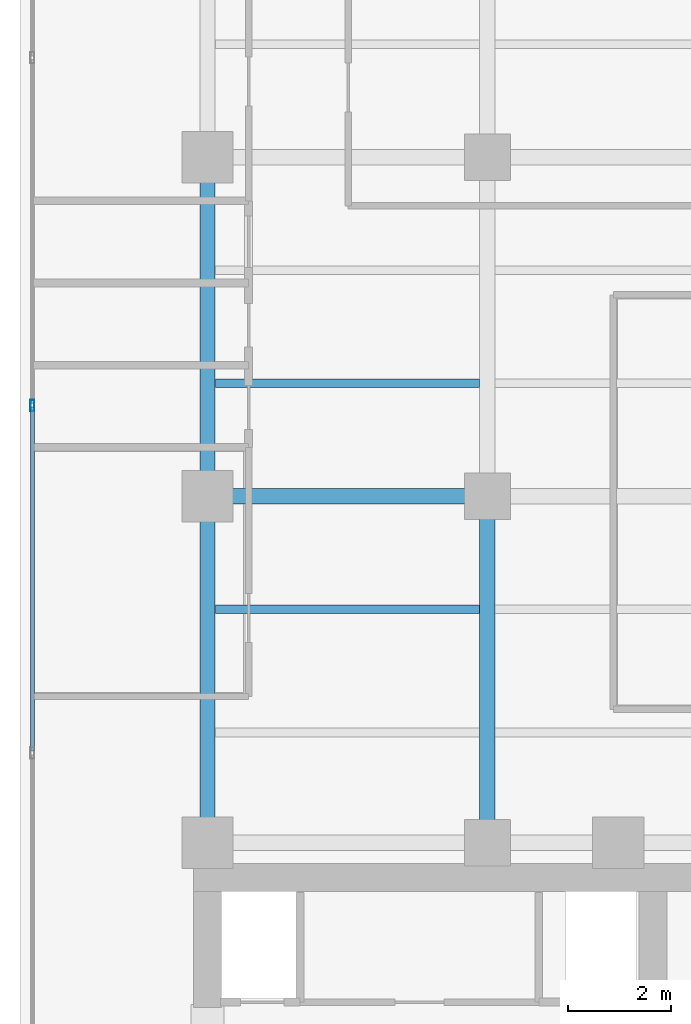
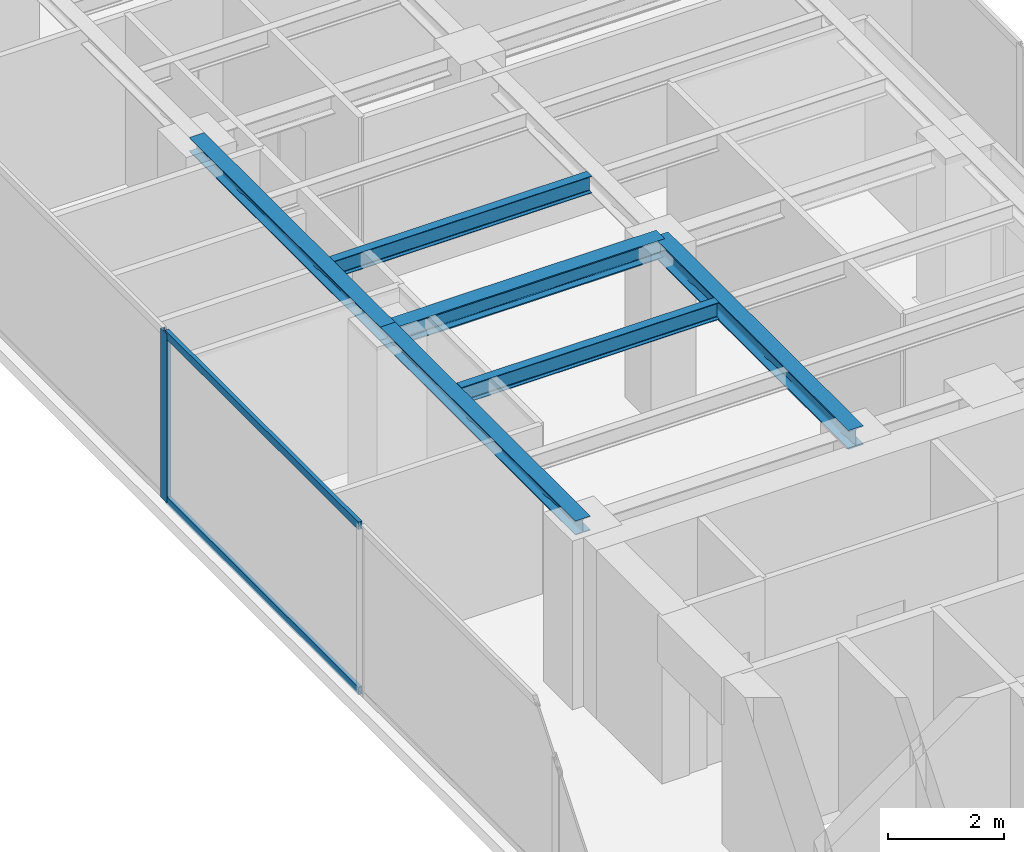
# One storey, part 8 of 23: 6 beams, 3 members, 1 element without a shape of its own.
"""IFC4 building model written with IfcOpenShell, lengths in metres."""

from ifc_helpers import new_model, si_unit, direction, frame, origin, origin_with_axes, origin_2d, place, context, subcontext, project, spatial, hollow_rectangle, i_section, extrude, source, transform, mapped, material, layer, layer_set, material_profile, profile_set, type_object, element, aggregate, save


model = new_model("IFC4")

# Units and contexts
model_context = context("Model", 3, precision=1e-05, world=origin(), true_north=direction((0.0, 1.0)))
body_context = subcontext(model_context, "Body", "Model", "MODEL_VIEW")
ifc_project = project(units=[si_unit("LENGTHUNIT", "METRE"), si_unit("AREAUNIT", "SQUARE_METRE"), si_unit("VOLUMEUNIT", "CUBIC_METRE"), si_unit("PLANEANGLEUNIT", "RADIAN"), si_unit("MASSUNIT", "GRAM", prefix="KILO")], contexts=[model_context])

# Site, building, storey
site_placement = place(None, origin())
site = spatial("IfcSite", under=ifc_project, at=site_placement, CompositionType="ELEMENT")
building_placement = place(site_placement, origin())
building = spatial("IfcBuilding", under=site, at=building_placement, Name="Kolvaren Waterfront Exchange", CompositionType="ELEMENT")
storey_placement = place(building_placement, frame((0.0, 0.0, 215.89990234375)))
storey = spatial("IfcBuildingStorey", under=building, at=storey_placement, Name="L55", CompositionType="ELEMENT", Elevation=215.89990234375)

# Beams
ifc_material_1 = material(Name="Steel S355", Category="steel")
ifc_material_profile_1 = material_profile(ifc_material_1, i_section(OverallWidth=0.300048828125, OverallDepth=0.300048828125, WebThickness=0.010986328125, FlangeThickness=0.01904296875, FilletRadius=0.027099609375, at=origin_2d()), Name="HEB300")
ifc_profile_set_1 = profile_set([ifc_material_profile_1], Name="Steel S355")
beam_type_1 = type_object("IfcBeamType", Name="STR-BM-HEB300", PredefinedType="SPANDREL", material=ifc_profile_set_1)
beam_1_placement = place(storey_placement, frame((7.449951171875, 24.449951171875, 3.41015625), z_axis=(0.0, 1.0, 0.0), x_axis=(-1.0, 0.0, 0.0)))
element("IfcBeam", 1, at=beam_1_placement, inside=storey, type_object=beam_type_1, Name="L55 north-arm edge beam 1", PredefinedType="SPANDREL", context=body_context, shape_type="SweptSolid", body=[
    extrude(i_section(OverallWidth=0.300048828125, OverallDepth=0.300048828125, WebThickness=0.010986328125, FlangeThickness=0.01904296875, FilletRadius=0.027099609375, at=origin_2d()), origin(), (0.0, 0.0, 1.0), 6.75),
])
beam_2_placement = place(storey_placement, frame((7.449951171875, 31.199951171875, 3.41015625), z_axis=(0.0, 1.0, 0.0), x_axis=(-1.0, 0.0, 0.0)))
element("IfcBeam", 2, at=beam_2_placement, inside=storey, type_object=beam_type_1, Name="L55 north-arm edge beam 2", PredefinedType="SPANDREL", context=body_context, shape_type="SweptSolid", body=[
    extrude(i_section(OverallWidth=0.300048828125, OverallDepth=0.300048828125, WebThickness=0.010986328125, FlangeThickness=0.01904296875, FilletRadius=0.027099609375, at=origin_2d()), origin(), (0.0, 0.0, 1.0), 6.60009765625),
])
ifc_material_profile_2 = material_profile(ifc_material_1, i_section(OverallWidth=0.300048828125, OverallDepth=0.39990234375, WebThickness=0.013427734375, FlangeThickness=0.02392578125, FilletRadius=0.027099609375, at=origin_2d()), Name="HEB400")
ifc_profile_set_2 = profile_set([ifc_material_profile_2], Name="Steel S355")
beam_type_2 = type_object("IfcBeamType", Name="STR-BM-HEB400", PredefinedType="BEAM", material=ifc_profile_set_2)
beam_3_placement = place(storey_placement, frame((7.449951171875, 31.199951171875, 3.360107421875), z_axis=(1.0, 0.0, 0.0), x_axis=(0.0, 1.0, 0.0)))
element("IfcBeam", 3, at=beam_3_placement, inside=storey, type_object=beam_type_2, Name="L55 north-arm girder 2A", PredefinedType="BEAM", context=body_context, shape_type="SweptSolid", body=[
    extrude(i_section(OverallWidth=0.300048828125, OverallDepth=0.39990234375, WebThickness=0.013427734375, FlangeThickness=0.02392578125, FilletRadius=0.027099609375, at=origin_2d()), origin(), (0.0, 0.0, 1.0), 5.449951171875),
])
beam_4_placement = place(storey_placement, frame((12.89990234375, 24.449951171875, 3.360107421875), z_axis=(0.0, 1.0, 0.0), x_axis=(-1.0, 0.0, 0.0)))
element("IfcBeam", 4, at=beam_4_placement, inside=storey, type_object=beam_type_2, Name="L55 north-arm edge beam 1", PredefinedType="BEAM", context=body_context, shape_type="SweptSolid", body=[
    extrude(i_section(OverallWidth=0.300048828125, OverallDepth=0.39990234375, WebThickness=0.013427734375, FlangeThickness=0.02392578125, FilletRadius=0.027099609375, at=origin_2d()), origin(), (0.0, 0.0, 1.0), 6.75),
])
ifc_material_profile_3 = material_profile(ifc_material_1, i_section(OverallWidth=0.169921875, OverallDepth=0.360107421875, WebThickness=0.008056640625, FlangeThickness=0.0126953125, FilletRadius=0.01806640625, at=origin_2d()), Name="IPE360")
ifc_profile_set_3 = profile_set([ifc_material_profile_3], Name="Steel S355")
beam_type_3 = type_object("IfcBeamType", Name="STR-BM-IPE360", PredefinedType="JOIST", material=ifc_profile_set_3)
for number, where, z_axis, x_axis, name in (
    (5, (7.60205078125, 29.0, 3.380126953125), (1.0, 0.0, 0.0), (0.0, 1.0, 0.0), "L55 north-arm composite joist 2A"),
    (6, (7.60205078125, 33.39990234375, 3.380126953125), (1.0, 0.0, 0.0), (0.0, 1.0, 0.0), "L55 north-arm composite joist 3A"),
):
    element("IfcBeam", number, at=place(storey_placement, frame(where, z_axis=z_axis, x_axis=x_axis)), inside=storey, type_object=beam_type_3, Name=name, PredefinedType="JOIST", context=body_context, shape_type="SweptSolid", body=[
        extrude(i_section(OverallWidth=0.169921875, OverallDepth=0.360107421875, WebThickness=0.008056640625, FlangeThickness=0.0126953125, FilletRadius=0.01806640625, at=origin_2d()), origin(), (0.0, 0.0, 1.0), 5.14599609375),
    ])

# Curtain wall, members
ifc_material_2 = material(Name="Anodised aluminium 6063-T6", Category="aluminium")
ifc_layer = layer(ifc_material_2, 0.219970703125, Name="Anodised aluminium 6063-T6")
ifc_layer_set = layer_set([ifc_layer], Name="Anodised aluminium 6063-T6")
curtain_wall_type = type_object("IfcCurtainWallType", Name="ARC-CW-SYS2", PredefinedType="USERDEFINED", material=ifc_layer_set)
curtain_wall_placement = place(storey_placement, origin())
curtain_wall = element("IfcCurtainWall", 7, at=curtain_wall_placement, inside=storey, type_object=curtain_wall_type, Name="L55 stick curtain wall CW2 (CW-L55-W)", ObjectType="STICK CURTAIN WALL", PredefinedType="USERDEFINED")
ifc_material_profile_4 = material_profile(ifc_material_2, hollow_rectangle(XDim=0.080078125, YDim=0.219970703125, WallThickness=0.0048828125, at=origin_2d()), Name="ALU-MUL-220x80x5")
ifc_profile_set_4 = profile_set([ifc_material_profile_4], Name="Anodised aluminium 6063-T6")
member_type_1 = type_object("IfcMemberType", Name="ARC-CWM-220", PredefinedType="MULLION", material=ifc_profile_set_4)
shared_shape_1 = source(origin_with_axes(), body_context, "Body", "SweptSolid", [
    extrude(hollow_rectangle(XDim=0.080078125, YDim=0.219970703125, WallThickness=0.0048828125, at=origin_2d()), origin(), (0.0, 0.0, 1.0), 3.56005859375),
])
member_1_placement = place(storey_placement, frame((4.0400390625, 32.966552734375, 0.0), z_axis=(0.0, 0.0, 1.0), x_axis=(-1.0, 0.0, 0.0)))
member_1 = element("IfcMember", 8, at=member_1_placement, type_object=member_type_1, Name="CW2 mullion 5", PredefinedType="MULLION", context=body_context, shape_type="MappedRepresentation", body=[
    mapped(shared_shape_1, transform((0.0, 0.0, 0.0), x_axis=(1.0, 0.0, 0.0), y_axis=(0.0, 1.0, 0.0), z_axis=(0.0, 0.0, 1.0), scale=1.0)),
])
ifc_material_profile_5 = material_profile(ifc_material_2, hollow_rectangle(XDim=0.074951171875, YDim=0.159912109375, WallThickness=0.00439453125, at=origin_2d()), Name="ALU-TRN-160x75x4.5")
ifc_profile_set_5 = profile_set([ifc_material_profile_5], Name="Anodised aluminium 6063-T6")
member_type_2 = type_object("IfcMemberType", Name="ARC-CWT-160", PredefinedType="USERDEFINED", material=ifc_profile_set_5)
shared_shape_2 = source(origin_with_axes(), body_context, "Body", "SweptSolid", [
    extrude(hollow_rectangle(XDim=0.074951171875, YDim=0.159912109375, WallThickness=0.00439453125, at=origin_2d()), origin(), (0.0, 0.0, 1.0), 6.686767578125),
])
member_2_placement = place(storey_placement, frame((4.0400390625, 26.239990234375, 0.03759765625), z_axis=(0.0, 1.0, 0.0), x_axis=(-1.0, 0.0, 0.0)))
member_2 = element("IfcMember", 9, at=member_2_placement, type_object=member_type_2, Name="CW2 transom 4.1", ObjectType="TRANSOM", PredefinedType="USERDEFINED", context=body_context, shape_type="MappedRepresentation", body=[
    mapped(shared_shape_2, transform((0.0, 0.0, 0.0), x_axis=(1.0, 0.0, 0.0), y_axis=(0.0, 1.0, 0.0), z_axis=(0.0, 0.0, 1.0), scale=1.0)),
])
member_3_placement = place(storey_placement, frame((4.0400390625, 26.239990234375, 3.522705078125), z_axis=(0.0, 1.0, 0.0), x_axis=(-1.0, 0.0, 0.0)))
member_3 = element("IfcMember", 10, at=member_3_placement, type_object=member_type_2, Name="CW2 transom 4.2", ObjectType="TRANSOM", PredefinedType="USERDEFINED", context=body_context, shape_type="MappedRepresentation", body=[
    mapped(shared_shape_2, transform((0.0, 0.0, 0.0), x_axis=(1.0, 0.0, 0.0), y_axis=(0.0, 1.0, 0.0), z_axis=(0.0, 0.0, 1.0), scale=1.0)),
])
aggregate(curtain_wall, [member_1, member_2, member_3])

save(model, "model.ifc")
